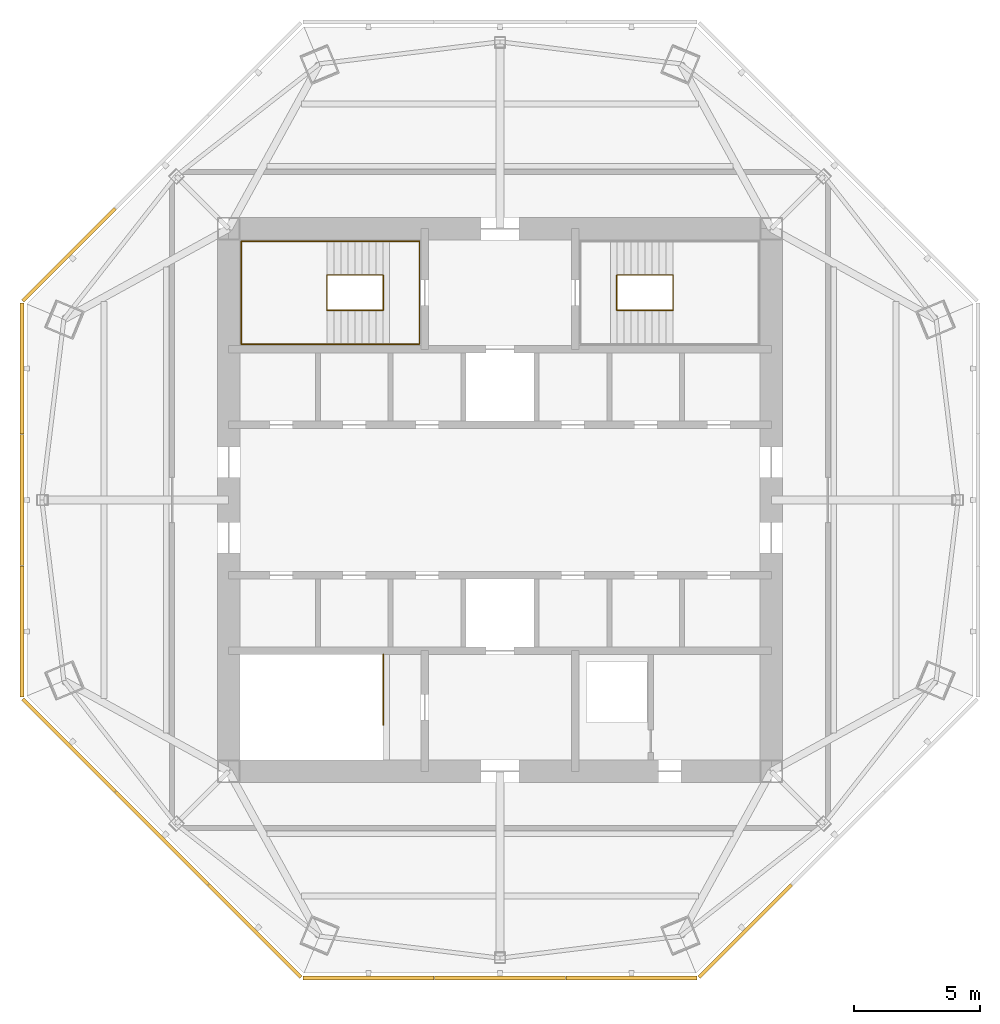
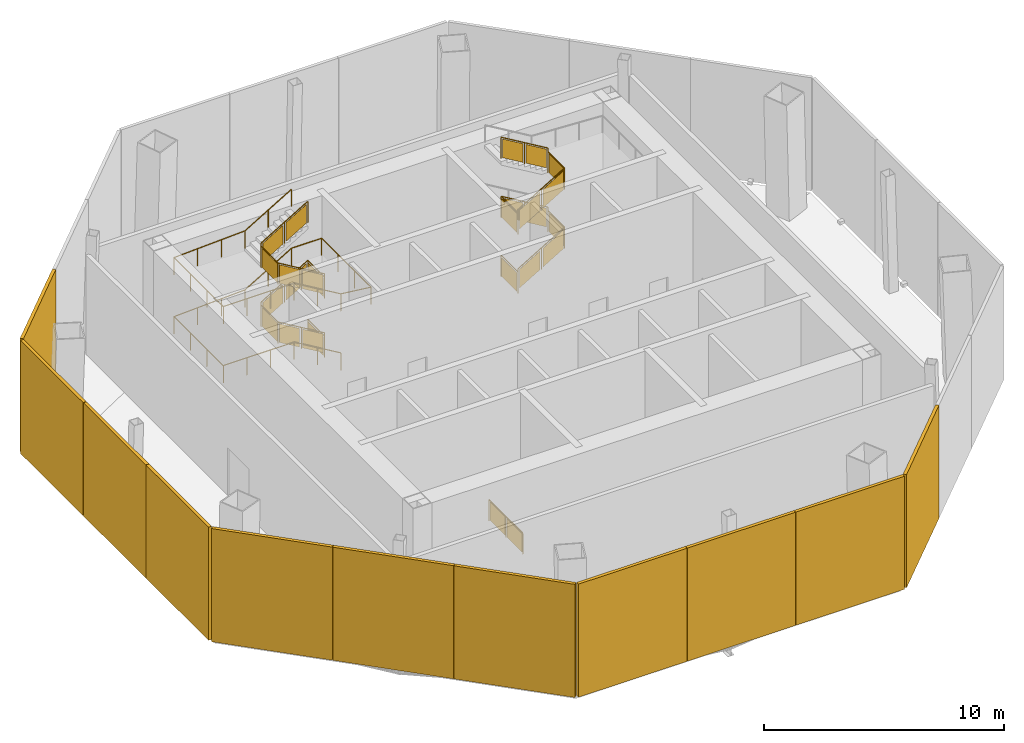
# One storey, part 5 of 6: 11 shading devices, 4 railings.
"""IFC4 building model written with IfcOpenShell, lengths in metres."""

from ifc_helpers import new_model, si_unit, direction, frame, origin, origin_2d, place, context, subcontext, project, spatial, polyline, rectangle, circle, outline, extrude, source, transform, mapped, material, layer, layer_set, type_object, type_shapes, element, save


model = new_model("IFC4")

# Units and contexts
model_context = context("Model", 3, precision=1e-05, world=origin(), true_north=direction((0.0, 1.0)))
body_context = subcontext(model_context, "Body", "Model", "MODEL_VIEW")
ifc_project = project(units=[si_unit("LENGTHUNIT", "METRE"), si_unit("AREAUNIT", "SQUARE_METRE"), si_unit("VOLUMEUNIT", "CUBIC_METRE"), si_unit("PLANEANGLEUNIT", "RADIAN"), si_unit("MASSUNIT", "GRAM", prefix="KILO")], contexts=[model_context])

# Site, building, storey
site_placement = place(None, origin())
site = spatial("IfcSite", under=ifc_project, at=site_placement, CompositionType="ELEMENT")
building_placement = place(site_placement, origin())
building = spatial("IfcBuilding", under=site, at=building_placement, Name="Mashrafa Tower", CompositionType="ELEMENT")
storey_placement = place(building_placement, frame((0.0, 0.0, 317.60009765625)))
storey = spatial("IfcBuildingStorey", under=building, at=storey_placement, Name="L78", CompositionType="ELEMENT", Elevation=317.60009765625)

# Railings
ifc_material_1 = material(Name="Steel guard with glass infill", Category="steel")
railing_type_1 = type_object("IfcRailingType", Name="Stair guard 1100", PredefinedType="GUARDRAIL", material=ifc_material_1)
railing_1_placement = place(storey_placement, frame((-4.64990234375, 8.949951171875, 0.0)))
element("IfcRailing", 1, at=railing_1_placement, inside=storey, type_object=railing_type_1, Name="Stair S1 guard L78", PredefinedType="GUARDRAIL", context=body_context, shape_type="SweptSolid", body=[
    extrude(circle(Radius=0.02392578125, at=origin_2d()), frame((0.0, 0.0, 1.076171875), z_axis=(0.0, -1.0, 0.0), x_axis=(1.0, 0.0, 0.0)), (0.0, 0.0, 1.0), 1.39990234375),
    extrude(circle(Radius=0.02392578125, at=origin_2d()), frame((0.0, -1.39990234375, 1.076171875), z_axis=(0.0, 0.0, 1.0), x_axis=(1.0, 0.0, 0.0)), (0.0, 0.0, 1.0), 0.16650390625),
    extrude(circle(Radius=0.02392578125, at=origin_2d()), frame((0.0, -1.39990234375, 1.24267578125), z_axis=(-0.859264461869, 0.0, 0.511531606619), x_axis=(0.0, -1.0, 0.0)), (0.0, 0.0, 1.0), 2.60693359375),
    extrude(circle(Radius=0.02392578125, at=origin_2d()), frame((-2.239990234375, -1.39990234375, 2.576171875), z_axis=(0.0, 1.0, 0.0), x_axis=(-1.0, 0.0, 0.0)), (0.0, 0.0, 1.0), 1.39990234375),
    extrude(circle(Radius=0.02392578125, at=origin_2d()), frame((-2.239990234375, 0.0, 2.576171875), z_axis=(0.0, 0.0, 1.0), x_axis=(1.0, 0.0, 0.0)), (0.0, 0.0, 1.0), 0.16650390625),
    extrude(circle(Radius=0.02392578125, at=origin_2d()), frame((-2.239990234375, 0.0, 2.74267578125), z_axis=(0.859264461869, 0.0, 0.511531606619), x_axis=(0.0, 1.0, 0.0)), (0.0, 0.0, 1.0), 2.60693359375),
    extrude(circle(Radius=0.02392578125, at=origin_2d()), frame((0.0, 0.0, 4.076171875), z_axis=(0.0, -1.0, 0.0), x_axis=(1.0, 0.0, 0.0)), (0.0, 0.0, 1.0), 1.39990234375),
    extrude(circle(Radius=0.02392578125, at=origin_2d()), frame((0.0, -1.39990234375, 4.076171875), z_axis=(0.0, 0.0, 1.0), x_axis=(1.0, 0.0, 0.0)), (0.0, 0.0, 1.0), 0.16650390625),
    extrude(circle(Radius=0.02392578125, at=origin_2d()), frame((0.0, -1.39990234375, 4.24267578125), z_axis=(-0.859264461869, 0.0, 0.511531606619), x_axis=(0.0, -1.0, 0.0)), (0.0, 0.0, 1.0), 2.60693359375),
    extrude(circle(Radius=0.02392578125, at=origin_2d()), frame((-2.239990234375, -1.39990234375, 5.576171875), z_axis=(0.0, 1.0, 0.0), x_axis=(-1.0, 0.0, 0.0)), (0.0, 0.0, 1.0), 1.39990234375),
    extrude(circle(Radius=0.02392578125, at=origin_2d()), frame((-2.239990234375, 0.0, 5.576171875), z_axis=(0.0, 0.0, 1.0), x_axis=(1.0, 0.0, 0.0)), (0.0, 0.0, 1.0), 0.16650390625),
    extrude(circle(Radius=0.02392578125, at=origin_2d()), frame((-2.239990234375, 0.0, 5.74267578125), z_axis=(0.859264461869, 0.0, 0.511531606619), x_axis=(0.0, 1.0, 0.0)), (0.0, 0.0, 1.0), 2.60693359375),
    extrude(circle(Radius=0.02099609375, at=origin_2d()), origin(), (0.0, 0.0, 1.0), 1.052001953125),
    extrude(circle(Radius=0.02099609375, at=origin_2d()), frame((0.0, -1.39990234375, 0.0)), (0.0, 0.0, 1.0), 1.052001953125),
    extrude(circle(Radius=0.02099609375, at=origin_2d()), frame((0.0, -1.39990234375, 0.16650390625)), (0.0, 0.0, 1.0), 1.052001953125),
    extrude(circle(Radius=0.02099609375, at=origin_2d()), frame((-1.1201171875, -1.39990234375, 0.833251953125)), (0.0, 0.0, 1.0), 1.052001953125),
    extrude(circle(Radius=0.02099609375, at=origin_2d()), frame((-2.239990234375, -1.39990234375, 1.5)), (0.0, 0.0, 1.0), 1.052001953125),
    extrude(circle(Radius=0.02099609375, at=origin_2d()), frame((-2.239990234375, 0.0, 1.5)), (0.0, 0.0, 1.0), 1.052001953125),
    extrude(circle(Radius=0.02099609375, at=origin_2d()), frame((-2.239990234375, 0.0, 1.66650390625)), (0.0, 0.0, 1.0), 1.052001953125),
    extrude(circle(Radius=0.02099609375, at=origin_2d()), frame((-1.1201171875, 0.0, 2.333251953125)), (0.0, 0.0, 1.0), 1.052001953125),
    extrude(circle(Radius=0.02099609375, at=origin_2d()), frame((0.0, 0.0, 3.0)), (0.0, 0.0, 1.0), 1.052001953125),
    extrude(circle(Radius=0.02099609375, at=origin_2d()), frame((0.0, -1.39990234375, 3.0)), (0.0, 0.0, 1.0), 1.052001953125),
    extrude(circle(Radius=0.02099609375, at=origin_2d()), frame((0.0, -1.39990234375, 3.16650390625)), (0.0, 0.0, 1.0), 1.052001953125),
    extrude(circle(Radius=0.02099609375, at=origin_2d()), frame((-1.1201171875, -1.39990234375, 3.833251953125)), (0.0, 0.0, 1.0), 1.052001953125),
    extrude(circle(Radius=0.02099609375, at=origin_2d()), frame((-2.239990234375, -1.39990234375, 4.5)), (0.0, 0.0, 1.0), 1.052001953125),
    extrude(circle(Radius=0.02099609375, at=origin_2d()), frame((-2.239990234375, 0.0, 4.5)), (0.0, 0.0, 1.0), 1.052001953125),
    extrude(circle(Radius=0.02099609375, at=origin_2d()), frame((-2.239990234375, 0.0, 4.66650390625)), (0.0, 0.0, 1.0), 1.052001953125),
    extrude(circle(Radius=0.02099609375, at=origin_2d()), frame((-1.1201171875, 0.0, 5.333251953125)), (0.0, 0.0, 1.0), 1.052001953125),
    extrude(circle(Radius=0.02099609375, at=origin_2d()), frame((0.0, 0.0, 6.0)), (0.0, 0.0, 1.0), 1.052001953125),
    extrude(outline(polyline([(0.071044921875, 0.050048828125), (1.328857421875, 0.050048828125), (1.328857421875, 1.001953125), (0.071044921875, 1.001953125), (0.071044921875, 0.050048828125)])), frame((-0.006103515625, 0.0, 0.0), z_axis=(-1.0, 0.0, 0.0), x_axis=(0.0, -1.0, 0.0)), (0.0, 0.0, 1.0), 0.011962890625),
    extrude(outline(polyline([(0.071044921875, 0.09228515625), (1.049072265625, 0.674560546875), (1.049072265625, 1.62646484375), (0.071044921875, 1.044189453125), (0.071044921875, 0.09228515625)])), frame((0.0, -1.393798828125, 0.16650390625), z_axis=(0.0, 1.0, 0.0), x_axis=(-1.0, 0.0, 0.0)), (0.0, 0.0, 1.0), 0.011962890625),
    extrude(outline(polyline([(1.19091796875, 0.759033203125), (2.1689453125, 1.34130859375), (2.1689453125, 2.293212890625), (1.19091796875, 1.7109375), (1.19091796875, 0.759033203125)])), frame((0.0, -1.393798828125, 0.16650390625), z_axis=(0.0, 1.0, 0.0), x_axis=(-1.0, 0.0, 0.0)), (0.0, 0.0, 1.0), 0.011962890625),
    extrude(outline(polyline([(0.071044921875, 0.050048828125), (1.328857421875, 0.050048828125), (1.328857421875, 1.001953125), (0.071044921875, 1.001953125), (0.071044921875, 0.050048828125)])), frame((-2.23388671875, -1.39990234375, 1.5), z_axis=(1.0, 0.0, 0.0), x_axis=(0.0, 1.0, 0.0)), (0.0, 0.0, 1.0), 0.011962890625),
    extrude(outline(polyline([(0.071044921875, 0.09228515625), (1.049072265625, 0.674560546875), (1.049072265625, 1.62646484375), (0.071044921875, 1.044189453125), (0.071044921875, 0.09228515625)])), frame((-2.239990234375, -0.006103515625, 1.66650390625), z_axis=(0.0, -1.0, 0.0), x_axis=(1.0, 0.0, 0.0)), (0.0, 0.0, 1.0), 0.011962890625),
    extrude(outline(polyline([(1.19091796875, 0.759033203125), (2.1689453125, 1.34130859375), (2.1689453125, 2.293212890625), (1.19091796875, 1.7109375), (1.19091796875, 0.759033203125)])), frame((-2.239990234375, -0.006103515625, 1.66650390625), z_axis=(0.0, -1.0, 0.0), x_axis=(1.0, 0.0, 0.0)), (0.0, 0.0, 1.0), 0.011962890625),
    extrude(outline(polyline([(0.071044921875, 0.050048828125), (1.328857421875, 0.050048828125), (1.328857421875, 1.001953125), (0.071044921875, 1.001953125), (0.071044921875, 0.050048828125)])), frame((-0.006103515625, 0.0, 3.0), z_axis=(-1.0, 0.0, 0.0), x_axis=(0.0, -1.0, 0.0)), (0.0, 0.0, 1.0), 0.011962890625),
    extrude(outline(polyline([(0.071044921875, 0.09228515625), (1.049072265625, 0.674560546875), (1.049072265625, 1.62646484375), (0.071044921875, 1.044189453125), (0.071044921875, 0.09228515625)])), frame((0.0, -1.393798828125, 3.16650390625), z_axis=(0.0, 1.0, 0.0), x_axis=(-1.0, 0.0, 0.0)), (0.0, 0.0, 1.0), 0.011962890625),
    extrude(outline(polyline([(1.19091796875, 0.759033203125), (2.1689453125, 1.34130859375), (2.1689453125, 2.293212890625), (1.19091796875, 1.7109375), (1.19091796875, 0.759033203125)])), frame((0.0, -1.393798828125, 3.16650390625), z_axis=(0.0, 1.0, 0.0), x_axis=(-1.0, 0.0, 0.0)), (0.0, 0.0, 1.0), 0.011962890625),
    extrude(outline(polyline([(0.071044921875, 0.050048828125), (1.328857421875, 0.050048828125), (1.328857421875, 1.001953125), (0.071044921875, 1.001953125), (0.071044921875, 0.050048828125)])), frame((-2.23388671875, -1.39990234375, 4.5), z_axis=(1.0, 0.0, 0.0), x_axis=(0.0, 1.0, 0.0)), (0.0, 0.0, 1.0), 0.011962890625),
    extrude(outline(polyline([(0.071044921875, 0.09228515625), (1.049072265625, 0.674560546875), (1.049072265625, 1.62646484375), (0.071044921875, 1.044189453125), (0.071044921875, 0.09228515625)])), frame((-2.239990234375, -0.006103515625, 4.66650390625), z_axis=(0.0, -1.0, 0.0), x_axis=(1.0, 0.0, 0.0)), (0.0, 0.0, 1.0), 0.011962890625),
    extrude(outline(polyline([(1.19091796875, 0.759033203125), (2.1689453125, 1.34130859375), (2.1689453125, 2.293212890625), (1.19091796875, 1.7109375), (1.19091796875, 0.759033203125)])), frame((-2.239990234375, -0.006103515625, 4.66650390625), z_axis=(0.0, -1.0, 0.0), x_axis=(1.0, 0.0, 0.0)), (0.0, 0.0, 1.0), 0.011962890625),
])
railing_2_placement = place(storey_placement, frame((4.64990234375, 8.949951171875, 0.0)))
element("IfcRailing", 2, at=railing_2_placement, inside=storey, type_object=railing_type_1, Name="Stair S2 guard L78", PredefinedType="GUARDRAIL", context=body_context, shape_type="SweptSolid", body=[
    extrude(circle(Radius=0.02392578125, at=origin_2d()), frame((0.0, 0.0, 1.076171875), z_axis=(0.0, -1.0, 0.0), x_axis=(1.0, 0.0, 0.0)), (0.0, 0.0, 1.0), 1.39990234375),
    extrude(circle(Radius=0.02392578125, at=origin_2d()), frame((0.0, -1.39990234375, 1.076171875), z_axis=(0.0, 0.0, 1.0), x_axis=(1.0, 0.0, 0.0)), (0.0, 0.0, 1.0), 0.16650390625),
    extrude(circle(Radius=0.02392578125, at=origin_2d()), frame((0.0, -1.39990234375, 1.24267578125), z_axis=(0.859264461869, 0.0, 0.511531606619), x_axis=(0.0, 1.0, 0.0)), (0.0, 0.0, 1.0), 2.60693359375),
    extrude(circle(Radius=0.02392578125, at=origin_2d()), frame((2.239990234375, -1.39990234375, 2.576171875), z_axis=(0.0, 1.0, 0.0), x_axis=(-1.0, 0.0, 0.0)), (0.0, 0.0, 1.0), 1.39990234375),
    extrude(circle(Radius=0.02392578125, at=origin_2d()), frame((2.239990234375, 0.0, 2.576171875), z_axis=(0.0, 0.0, 1.0), x_axis=(1.0, 0.0, 0.0)), (0.0, 0.0, 1.0), 0.16650390625),
    extrude(circle(Radius=0.02392578125, at=origin_2d()), frame((2.239990234375, 0.0, 2.74267578125), z_axis=(-0.859264461869, 0.0, 0.511531606619), x_axis=(0.0, -1.0, 0.0)), (0.0, 0.0, 1.0), 2.60693359375),
    extrude(circle(Radius=0.02392578125, at=origin_2d()), frame((0.0, 0.0, 4.076171875), z_axis=(0.0, -1.0, 0.0), x_axis=(1.0, 0.0, 0.0)), (0.0, 0.0, 1.0), 1.39990234375),
    extrude(circle(Radius=0.02392578125, at=origin_2d()), frame((0.0, -1.39990234375, 4.076171875), z_axis=(0.0, 0.0, 1.0), x_axis=(1.0, 0.0, 0.0)), (0.0, 0.0, 1.0), 0.16650390625),
    extrude(circle(Radius=0.02392578125, at=origin_2d()), frame((0.0, -1.39990234375, 4.24267578125), z_axis=(0.859264461869, 0.0, 0.511531606619), x_axis=(0.0, 1.0, 0.0)), (0.0, 0.0, 1.0), 2.60693359375),
    extrude(circle(Radius=0.02392578125, at=origin_2d()), frame((2.239990234375, -1.39990234375, 5.576171875), z_axis=(0.0, 1.0, 0.0), x_axis=(-1.0, 0.0, 0.0)), (0.0, 0.0, 1.0), 1.39990234375),
    extrude(circle(Radius=0.02392578125, at=origin_2d()), frame((2.239990234375, 0.0, 5.576171875), z_axis=(0.0, 0.0, 1.0), x_axis=(1.0, 0.0, 0.0)), (0.0, 0.0, 1.0), 0.16650390625),
    extrude(circle(Radius=0.02392578125, at=origin_2d()), frame((2.239990234375, 0.0, 5.74267578125), z_axis=(-0.859264461869, 0.0, 0.511531606619), x_axis=(0.0, -1.0, 0.0)), (0.0, 0.0, 1.0), 2.60693359375),
    extrude(circle(Radius=0.02099609375, at=origin_2d()), origin(), (0.0, 0.0, 1.0), 1.052001953125),
    extrude(circle(Radius=0.02099609375, at=origin_2d()), frame((0.0, -1.39990234375, 0.0)), (0.0, 0.0, 1.0), 1.052001953125),
    extrude(circle(Radius=0.02099609375, at=origin_2d()), frame((0.0, -1.39990234375, 0.16650390625)), (0.0, 0.0, 1.0), 1.052001953125),
    extrude(circle(Radius=0.02099609375, at=origin_2d()), frame((1.1201171875, -1.39990234375, 0.833251953125)), (0.0, 0.0, 1.0), 1.052001953125),
    extrude(circle(Radius=0.02099609375, at=origin_2d()), frame((2.239990234375, -1.39990234375, 1.5)), (0.0, 0.0, 1.0), 1.052001953125),
    extrude(circle(Radius=0.02099609375, at=origin_2d()), frame((2.239990234375, 0.0, 1.5)), (0.0, 0.0, 1.0), 1.052001953125),
    extrude(circle(Radius=0.02099609375, at=origin_2d()), frame((2.239990234375, 0.0, 1.66650390625)), (0.0, 0.0, 1.0), 1.052001953125),
    extrude(circle(Radius=0.02099609375, at=origin_2d()), frame((1.1201171875, 0.0, 2.333251953125)), (0.0, 0.0, 1.0), 1.052001953125),
    extrude(circle(Radius=0.02099609375, at=origin_2d()), frame((0.0, 0.0, 3.0)), (0.0, 0.0, 1.0), 1.052001953125),
    extrude(circle(Radius=0.02099609375, at=origin_2d()), frame((0.0, -1.39990234375, 3.0)), (0.0, 0.0, 1.0), 1.052001953125),
    extrude(circle(Radius=0.02099609375, at=origin_2d()), frame((0.0, -1.39990234375, 3.16650390625)), (0.0, 0.0, 1.0), 1.052001953125),
    extrude(circle(Radius=0.02099609375, at=origin_2d()), frame((1.1201171875, -1.39990234375, 3.833251953125)), (0.0, 0.0, 1.0), 1.052001953125),
    extrude(circle(Radius=0.02099609375, at=origin_2d()), frame((2.239990234375, -1.39990234375, 4.5)), (0.0, 0.0, 1.0), 1.052001953125),
    extrude(circle(Radius=0.02099609375, at=origin_2d()), frame((2.239990234375, 0.0, 4.5)), (0.0, 0.0, 1.0), 1.052001953125),
    extrude(circle(Radius=0.02099609375, at=origin_2d()), frame((2.239990234375, 0.0, 4.66650390625)), (0.0, 0.0, 1.0), 1.052001953125),
    extrude(circle(Radius=0.02099609375, at=origin_2d()), frame((1.1201171875, 0.0, 5.333251953125)), (0.0, 0.0, 1.0), 1.052001953125),
    extrude(circle(Radius=0.02099609375, at=origin_2d()), frame((0.0, 0.0, 6.0)), (0.0, 0.0, 1.0), 1.052001953125),
    extrude(outline(polyline([(0.071044921875, 0.050048828125), (1.328857421875, 0.050048828125), (1.328857421875, 1.001953125), (0.071044921875, 1.001953125), (0.071044921875, 0.050048828125)])), frame((-0.006103515625, 0.0, 0.0), z_axis=(-1.0, 0.0, 0.0), x_axis=(0.0, -1.0, 0.0)), (0.0, 0.0, 1.0), 0.011962890625),
    extrude(outline(polyline([(0.071044921875, 0.09228515625), (1.049072265625, 0.674560546875), (1.049072265625, 1.62646484375), (0.071044921875, 1.044189453125), (0.071044921875, 0.09228515625)])), frame((0.0, -1.406005859375, 0.16650390625), z_axis=(0.0, -1.0, 0.0), x_axis=(1.0, 0.0, 0.0)), (0.0, 0.0, 1.0), 0.011962890625),
    extrude(outline(polyline([(1.19091796875, 0.759033203125), (2.1689453125, 1.34130859375), (2.1689453125, 2.293212890625), (1.19091796875, 1.7109375), (1.19091796875, 0.759033203125)])), frame((0.0, -1.406005859375, 0.16650390625), z_axis=(0.0, -1.0, 0.0), x_axis=(1.0, 0.0, 0.0)), (0.0, 0.0, 1.0), 0.011962890625),
    extrude(outline(polyline([(0.071044921875, 0.050048828125), (1.328857421875, 0.050048828125), (1.328857421875, 1.001953125), (0.071044921875, 1.001953125), (0.071044921875, 0.050048828125)])), frame((2.24609375, -1.39990234375, 1.5), z_axis=(1.0, 0.0, 0.0), x_axis=(0.0, 1.0, 0.0)), (0.0, 0.0, 1.0), 0.011962890625),
    extrude(outline(polyline([(0.071044921875, 0.09228515625), (1.049072265625, 0.674560546875), (1.049072265625, 1.62646484375), (0.071044921875, 1.044189453125), (0.071044921875, 0.09228515625)])), frame((2.239990234375, 0.006103515625, 1.66650390625), z_axis=(0.0, 1.0, 0.0), x_axis=(-1.0, 0.0, 0.0)), (0.0, 0.0, 1.0), 0.011962890625),
    extrude(outline(polyline([(1.19091796875, 0.759033203125), (2.1689453125, 1.34130859375), (2.1689453125, 2.293212890625), (1.19091796875, 1.7109375), (1.19091796875, 0.759033203125)])), frame((2.239990234375, 0.006103515625, 1.66650390625), z_axis=(0.0, 1.0, 0.0), x_axis=(-1.0, 0.0, 0.0)), (0.0, 0.0, 1.0), 0.011962890625),
    extrude(outline(polyline([(0.071044921875, 0.050048828125), (1.328857421875, 0.050048828125), (1.328857421875, 1.001953125), (0.071044921875, 1.001953125), (0.071044921875, 0.050048828125)])), frame((-0.006103515625, 0.0, 3.0), z_axis=(-1.0, 0.0, 0.0), x_axis=(0.0, -1.0, 0.0)), (0.0, 0.0, 1.0), 0.011962890625),
    extrude(outline(polyline([(0.071044921875, 0.09228515625), (1.049072265625, 0.674560546875), (1.049072265625, 1.62646484375), (0.071044921875, 1.044189453125), (0.071044921875, 0.09228515625)])), frame((0.0, -1.406005859375, 3.16650390625), z_axis=(0.0, -1.0, 0.0), x_axis=(1.0, 0.0, 0.0)), (0.0, 0.0, 1.0), 0.011962890625),
    extrude(outline(polyline([(1.19091796875, 0.759033203125), (2.1689453125, 1.34130859375), (2.1689453125, 2.293212890625), (1.19091796875, 1.7109375), (1.19091796875, 0.759033203125)])), frame((0.0, -1.406005859375, 3.16650390625), z_axis=(0.0, -1.0, 0.0), x_axis=(1.0, 0.0, 0.0)), (0.0, 0.0, 1.0), 0.011962890625),
    extrude(outline(polyline([(0.071044921875, 0.050048828125), (1.328857421875, 0.050048828125), (1.328857421875, 1.001953125), (0.071044921875, 1.001953125), (0.071044921875, 0.050048828125)])), frame((2.24609375, -1.39990234375, 4.5), z_axis=(1.0, 0.0, 0.0), x_axis=(0.0, 1.0, 0.0)), (0.0, 0.0, 1.0), 0.011962890625),
    extrude(outline(polyline([(0.071044921875, 0.09228515625), (1.049072265625, 0.674560546875), (1.049072265625, 1.62646484375), (0.071044921875, 1.044189453125), (0.071044921875, 0.09228515625)])), frame((2.239990234375, 0.006103515625, 4.66650390625), z_axis=(0.0, 1.0, 0.0), x_axis=(-1.0, 0.0, 0.0)), (0.0, 0.0, 1.0), 0.011962890625),
    extrude(outline(polyline([(1.19091796875, 0.759033203125), (2.1689453125, 1.34130859375), (2.1689453125, 2.293212890625), (1.19091796875, 1.7109375), (1.19091796875, 0.759033203125)])), frame((2.239990234375, 0.006103515625, 4.66650390625), z_axis=(0.0, 1.0, 0.0), x_axis=(-1.0, 0.0, 0.0)), (0.0, 0.0, 1.0), 0.011962890625),
])
railing_3_placement = place(storey_placement, frame((-4.64990234375, -8.949951171875, 0.0)))
element("IfcRailing", 3, at=railing_3_placement, inside=storey, type_object=railing_type_1, Name="Stair S3 guard L78", PredefinedType="GUARDRAIL", context=body_context, shape_type="SweptSolid", body=[
    extrude(circle(Radius=0.02392578125, at=origin_2d()), frame((0.0, 0.0, 1.076171875), z_axis=(0.0, 1.0, 0.0), x_axis=(-1.0, 0.0, 0.0)), (0.0, 0.0, 1.0), 2.800048828125),
    extrude(circle(Radius=0.02099609375, at=origin_2d()), origin(), (0.0, 0.0, 1.0), 1.052001953125),
    extrude(circle(Radius=0.02099609375, at=origin_2d()), frame((0.0, 1.39990234375, 0.0)), (0.0, 0.0, 1.0), 1.052001953125),
    extrude(circle(Radius=0.02099609375, at=origin_2d()), frame((0.0, 2.800048828125, 0.0)), (0.0, 0.0, 1.0), 1.052001953125),
    extrude(outline(polyline([(0.071044921875, 0.050048828125), (1.3291015625, 0.050048828125), (1.3291015625, 1.001953125), (0.071044921875, 1.001953125), (0.071044921875, 0.050048828125)])), frame((0.006103515625, 0.0, 0.0), z_axis=(1.0, 0.0, 0.0), x_axis=(0.0, 1.0, 0.0)), (0.0, 0.0, 1.0), 0.011962890625),
    extrude(outline(polyline([(1.470947265625, 0.050048828125), (2.72900390625, 0.050048828125), (2.72900390625, 1.001953125), (1.470947265625, 1.001953125), (1.470947265625, 0.050048828125)])), frame((0.006103515625, 0.0, 0.0), z_axis=(1.0, 0.0, 0.0), x_axis=(0.0, 1.0, 0.0)), (0.0, 0.0, 1.0), 0.011962890625),
])
ifc_material_2 = material(Name="Steel", Category="steel")
railing_type_2 = type_object("IfcRailingType", Name="Stair handrail 900", PredefinedType="HANDRAIL", material=ifc_material_2)
railing_4_placement = place(storey_placement, frame((-4.64990234375, 6.199951171875, 0.16650390625)))
element("IfcRailing", 4, at=railing_4_placement, inside=storey, type_object=railing_type_2, Name="Stair S1 handrail L78", PredefinedType="HANDRAIL", context=body_context, shape_type="SweptSolid", body=[
    extrude(circle(Radius=0.02392578125, at=origin_2d()), frame((0.0, 0.0, 0.8759765625), z_axis=(-0.859264461869, 0.0, 0.511531606619), x_axis=(0.0, -1.0, 0.0)), (0.0, 0.0, 1.0), 2.60693359375),
    extrude(circle(Radius=0.02392578125, at=origin_2d()), frame((-2.239990234375, 0.0, 2.20947265625), z_axis=(-1.0, 0.0, 0.0), x_axis=(0.0, -1.0, 0.0)), (0.0, 0.0, 1.0), 3.41015625),
    extrude(circle(Radius=0.02392578125, at=origin_2d()), frame((-5.650146484375, 0.0, 2.20947265625), z_axis=(0.0, 1.0, 0.0), x_axis=(-1.0, 0.0, 0.0)), (0.0, 0.0, 1.0), 4.10009765625),
    extrude(circle(Radius=0.02392578125, at=origin_2d()), frame((-5.650146484375, 4.10009765625, 2.20947265625), z_axis=(0.998810143355, 0.0, 0.048767791936), x_axis=(0.0, 1.0, 0.0)), (0.0, 0.0, 1.0), 3.414306640625),
    extrude(circle(Radius=0.02392578125, at=origin_2d()), frame((-2.239990234375, 4.10009765625, 2.3759765625), z_axis=(0.859264461869, 0.0, 0.511531606619), x_axis=(0.0, 1.0, 0.0)), (0.0, 0.0, 1.0), 2.60693359375),
    extrude(circle(Radius=0.02392578125, at=origin_2d()), frame((0.0, 4.10009765625, 3.70947265625), z_axis=(1.0, 0.0, 0.0), x_axis=(0.0, 1.0, 0.0)), (0.0, 0.0, 1.0), 1.449951171875),
    extrude(circle(Radius=0.02392578125, at=origin_2d()), frame((1.449951171875, 4.10009765625, 3.70947265625), z_axis=(0.0, -1.0, 0.0), x_axis=(1.0, 0.0, 0.0)), (0.0, 0.0, 1.0), 4.10009765625),
    extrude(circle(Radius=0.02392578125, at=origin_2d()), frame((1.449951171875, 0.0, 3.70947265625), z_axis=(-0.993471061085, 0.0, 0.114084402031), x_axis=(0.0, -1.0, 0.0)), (0.0, 0.0, 1.0), 1.45947265625),
    extrude(circle(Radius=0.02392578125, at=origin_2d()), frame((0.0, 0.0, 3.8759765625), z_axis=(-0.859264461869, 0.0, 0.511531606619), x_axis=(0.0, -1.0, 0.0)), (0.0, 0.0, 1.0), 2.60693359375),
    extrude(circle(Radius=0.02392578125, at=origin_2d()), frame((-2.239990234375, 0.0, 5.20947265625), z_axis=(-1.0, 0.0, 0.0), x_axis=(0.0, -1.0, 0.0)), (0.0, 0.0, 1.0), 3.41015625),
    extrude(circle(Radius=0.02392578125, at=origin_2d()), frame((-5.650146484375, 0.0, 5.20947265625), z_axis=(0.0, 1.0, 0.0), x_axis=(-1.0, 0.0, 0.0)), (0.0, 0.0, 1.0), 4.10009765625),
    extrude(circle(Radius=0.02392578125, at=origin_2d()), frame((-5.650146484375, 4.10009765625, 5.20947265625), z_axis=(0.998810143355, 0.0, 0.048767791936), x_axis=(0.0, 1.0, 0.0)), (0.0, 0.0, 1.0), 3.414306640625),
    extrude(circle(Radius=0.02392578125, at=origin_2d()), frame((-2.239990234375, 4.10009765625, 5.3759765625), z_axis=(0.859264461869, 0.0, 0.511531606619), x_axis=(0.0, 1.0, 0.0)), (0.0, 0.0, 1.0), 2.60693359375),
    extrude(circle(Radius=0.02099609375, at=origin_2d()), origin(), (0.0, 0.0, 1.0), 0.851806640625),
    extrude(circle(Radius=0.02099609375, at=origin_2d()), frame((-1.1201171875, 0.0, 0.666748046875)), (0.0, 0.0, 1.0), 0.851806640625),
    extrude(circle(Radius=0.02099609375, at=origin_2d()), frame((-2.239990234375, 0.0, 1.33349609375)), (0.0, 0.0, 1.0), 0.851806640625),
    extrude(circle(Radius=0.02099609375, at=origin_2d()), frame((-3.376708984375, 0.0, 1.33349609375)), (0.0, 0.0, 1.0), 0.851806640625),
    extrude(circle(Radius=0.02099609375, at=origin_2d()), frame((-4.513427734375, 0.0, 1.33349609375)), (0.0, 0.0, 1.0), 0.851806640625),
    extrude(circle(Radius=0.02099609375, at=origin_2d()), frame((-5.650146484375, 0.0, 1.33349609375)), (0.0, 0.0, 1.0), 0.851806640625),
    extrude(circle(Radius=0.02099609375, at=origin_2d()), frame((-5.650146484375, 1.36669921875, 1.33349609375)), (0.0, 0.0, 1.0), 0.851806640625),
    extrude(circle(Radius=0.02099609375, at=origin_2d()), frame((-5.650146484375, 2.7333984375, 1.33349609375)), (0.0, 0.0, 1.0), 0.851806640625),
    extrude(circle(Radius=0.02099609375, at=origin_2d()), frame((-5.650146484375, 4.10009765625, 1.33349609375)), (0.0, 0.0, 1.0), 0.851806640625),
    extrude(circle(Radius=0.02099609375, at=origin_2d()), frame((-4.513427734375, 4.10009765625, 1.388916015625)), (0.0, 0.0, 1.0), 0.851806640625),
    extrude(circle(Radius=0.02099609375, at=origin_2d()), frame((-3.376708984375, 4.10009765625, 1.444580078125)), (0.0, 0.0, 1.0), 0.851806640625),
    extrude(circle(Radius=0.02099609375, at=origin_2d()), frame((-2.239990234375, 4.10009765625, 1.5)), (0.0, 0.0, 1.0), 0.851806640625),
    extrude(circle(Radius=0.02099609375, at=origin_2d()), frame((-1.1201171875, 4.10009765625, 2.166748046875)), (0.0, 0.0, 1.0), 0.851806640625),
    extrude(circle(Radius=0.02099609375, at=origin_2d()), frame((0.0, 4.10009765625, 2.83349609375)), (0.0, 0.0, 1.0), 0.851806640625),
    extrude(circle(Radius=0.02099609375, at=origin_2d()), frame((1.449951171875, 4.10009765625, 2.83349609375)), (0.0, 0.0, 1.0), 0.851806640625),
    extrude(circle(Radius=0.02099609375, at=origin_2d()), frame((1.449951171875, 2.7333984375, 2.83349609375)), (0.0, 0.0, 1.0), 0.851806640625),
    extrude(circle(Radius=0.02099609375, at=origin_2d()), frame((1.449951171875, 1.36669921875, 2.83349609375)), (0.0, 0.0, 1.0), 0.851806640625),
    extrude(circle(Radius=0.02099609375, at=origin_2d()), frame((1.449951171875, 0.0, 2.83349609375)), (0.0, 0.0, 1.0), 0.851806640625),
    extrude(circle(Radius=0.02099609375, at=origin_2d()), frame((0.0, 0.0, 3.0)), (0.0, 0.0, 1.0), 0.851806640625),
    extrude(circle(Radius=0.02099609375, at=origin_2d()), frame((-1.1201171875, 0.0, 3.666748046875)), (0.0, 0.0, 1.0), 0.851806640625),
    extrude(circle(Radius=0.02099609375, at=origin_2d()), frame((-2.239990234375, 0.0, 4.33349609375)), (0.0, 0.0, 1.0), 0.851806640625),
    extrude(circle(Radius=0.02099609375, at=origin_2d()), frame((-3.376708984375, 0.0, 4.33349609375)), (0.0, 0.0, 1.0), 0.851806640625),
    extrude(circle(Radius=0.02099609375, at=origin_2d()), frame((-4.513427734375, 0.0, 4.33349609375)), (0.0, 0.0, 1.0), 0.851806640625),
    extrude(circle(Radius=0.02099609375, at=origin_2d()), frame((-5.650146484375, 0.0, 4.33349609375)), (0.0, 0.0, 1.0), 0.851806640625),
    extrude(circle(Radius=0.02099609375, at=origin_2d()), frame((-5.650146484375, 1.36669921875, 4.33349609375)), (0.0, 0.0, 1.0), 0.851806640625),
    extrude(circle(Radius=0.02099609375, at=origin_2d()), frame((-5.650146484375, 2.7333984375, 4.33349609375)), (0.0, 0.0, 1.0), 0.851806640625),
    extrude(circle(Radius=0.02099609375, at=origin_2d()), frame((-5.650146484375, 4.10009765625, 4.33349609375)), (0.0, 0.0, 1.0), 0.851806640625),
    extrude(circle(Radius=0.02099609375, at=origin_2d()), frame((-4.513427734375, 4.10009765625, 4.388916015625)), (0.0, 0.0, 1.0), 0.851806640625),
    extrude(circle(Radius=0.02099609375, at=origin_2d()), frame((-3.376708984375, 4.10009765625, 4.444580078125)), (0.0, 0.0, 1.0), 0.851806640625),
    extrude(circle(Radius=0.02099609375, at=origin_2d()), frame((-2.239990234375, 4.10009765625, 4.5)), (0.0, 0.0, 1.0), 0.851806640625),
    extrude(circle(Radius=0.02099609375, at=origin_2d()), frame((-1.1201171875, 4.10009765625, 5.166748046875)), (0.0, 0.0, 1.0), 0.851806640625),
    extrude(circle(Radius=0.02099609375, at=origin_2d()), frame((0.0, 4.10009765625, 5.83349609375)), (0.0, 0.0, 1.0), 0.851806640625),
])

# Shading devices
ifc_material_3 = material(Name="Extruded aluminium weather louvre", Category="aluminium")
ifc_layer = layer(ifc_material_3, 0.14990234375)
ifc_layer_set = layer_set([ifc_layer], Name="Plant louvre screen 150")
shading_device_type = type_object("IfcShadingDeviceType", Name="Plant louvre screen 150", PredefinedType="SHUTTER", material=ifc_layer_set)
shared_shape = source(origin(), body_context, "Body", "SweptSolid", [
    extrude(rectangle(XDim=5.207763671875, YDim=0.14990234375, at=origin_2d()), origin(), (0.0, 0.0, 1.0), 5.75),
])
type_shapes(shading_device_type, [shared_shape])
for number, where, z_axis, x_axis, name in (
    (5, (-17.153076171875, 9.760009765625, 0.0), (0.0, 0.0, 1.0), (-0.707106781187, -0.707106781187, 0.0), "Plant louvre screen L78 north-west 3"),
    (6, (-19.0302734375, 5.227783203125, 0.0), (0.0, 0.0, 1.0), (0.0, -1.0, 0.0), "Plant louvre screen L78 west 1"),
    (7, (-19.0302734375, 0.0, 0.0), (0.0, 0.0, 1.0), (0.0, -1.0, 0.0), "Plant louvre screen L78 west 2"),
    (8, (-19.0302734375, -5.227783203125, 0.0), (0.0, 0.0, 1.0), (0.0, -1.0, 0.0), "Plant louvre screen L78 west 3"),
    (9, (-17.153076171875, -9.760009765625, 0.0), (0.0, 0.0, 1.0), (0.707106781187, -0.707106781187, 0.0), "Plant louvre screen L78 south-west 1"),
    (10, (-13.45654296875, -13.45654296875, 0.0), (0.0, 0.0, 1.0), (0.707106781187, -0.707106781187, 0.0), "Plant louvre screen L78 south-west 2"),
    (11, (-9.760009765625, -17.153076171875, 0.0), (0.0, 0.0, 1.0), (0.707106781187, -0.707106781187, 0.0), "Plant louvre screen L78 south-west 3"),
    (12, (-5.227783203125, -19.0302734375, 0.0), (0.0, 0.0, 1.0), (1.0, 0.0, 0.0), "Plant louvre screen L78 south 1"),
    (13, (0.0, -19.0302734375, 0.0), (0.0, 0.0, 1.0), (1.0, 0.0, 0.0), "Plant louvre screen L78 south 2"),
    (14, (5.227783203125, -19.0302734375, 0.0), (0.0, 0.0, 1.0), (1.0, 0.0, 0.0), "Plant louvre screen L78 south 3"),
    (15, (9.760009765625, -17.153076171875, 0.0), (0.0, 0.0, 1.0), (0.707106781187, 0.707106781187, 0.0), "Plant louvre screen L78 south-east 1"),
):
    element("IfcShadingDevice", number, at=place(storey_placement, frame(where, z_axis=z_axis, x_axis=x_axis)), inside=storey, type_object=shading_device_type, Name=name, PredefinedType="SHUTTER", context=body_context, shape_type="MappedRepresentation", body=[
        mapped(shared_shape, transform((0.0, 0.0, 0.0))),
    ])

save(model, "model.ifc")
